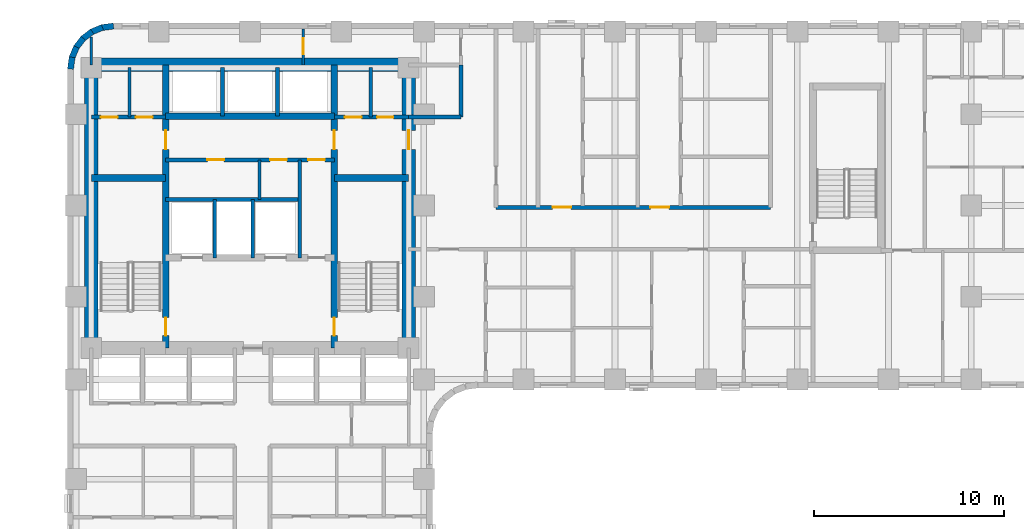
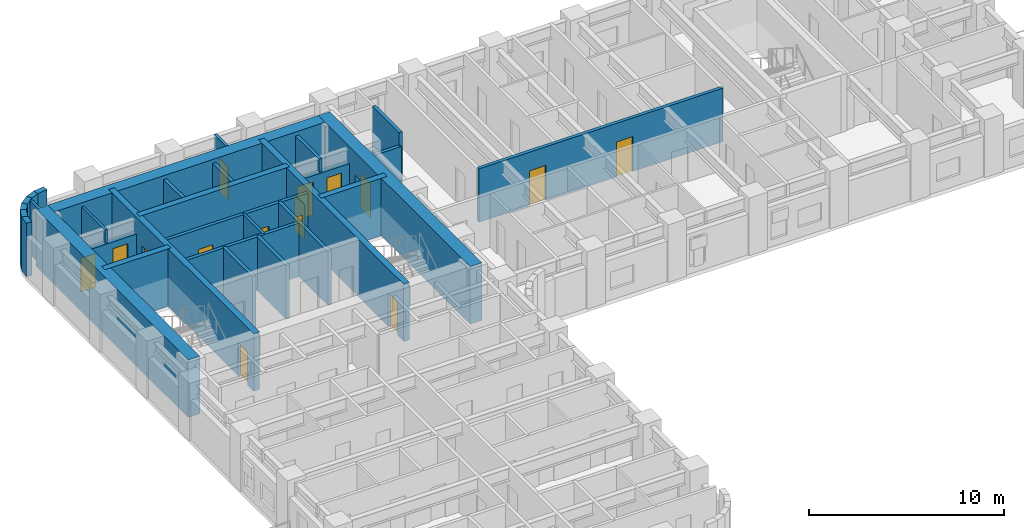
# One storey, part 6 of 10: 31 walls, 15 doors, 15 openings.
"""IFC4 building model written with IfcOpenShell, lengths in metres."""

from ifc_helpers import new_model, si_unit, direction, frame, frame_2d, origin, place, context, subcontext, project, spatial, rectangle, extrude, material, layer, layer_set, type_object, element, fill, save


model = new_model("IFC4")

# Units and contexts
model_context = context("Model", 3, precision=1e-05, world=origin(), true_north=direction((0.0, 1.0)))
body_context = subcontext(model_context, "Body", "Model", "MODEL_VIEW")
ifc_project = project(units=[si_unit("LENGTHUNIT", "METRE"), si_unit("AREAUNIT", "SQUARE_METRE"), si_unit("VOLUMEUNIT", "CUBIC_METRE"), si_unit("PLANEANGLEUNIT", "RADIAN"), si_unit("MASSUNIT", "GRAM", prefix="KILO")], contexts=[model_context])

# Site, building, storey
site_placement = place(None, origin())
site = spatial("IfcSite", under=ifc_project, at=site_placement, CompositionType="ELEMENT")
building_placement = place(site_placement, origin())
building = spatial("IfcBuilding", under=site, at=building_placement, Name="Orvandelia Arch Residences", CompositionType="ELEMENT")
storey_placement = place(building_placement, frame((0.0, 0.0, 32.199951171875)))
storey = spatial("IfcBuildingStorey", under=building, at=storey_placement, Name="L07", CompositionType="ELEMENT", Elevation=32.199951171875)

# Wall, openings, doors
ifc_material_1 = material(Name="Concrete C50/60", Category="concrete")
ifc_layer_1 = layer(ifc_material_1, 0.35009765625, Name="Concrete C50/60", Category="concrete")
ifc_layer_set_1 = layer_set([ifc_layer_1], Name="Concrete C50/60")
wall_type_1 = type_object("IfcWallType", Name="WL-CORE-350", PredefinedType="SHEAR", material=ifc_layer_set_1)
wall_1_placement = place(storey_placement, frame((9.9599609375, 30.89990234375, 0.0), z_axis=(0.0, 0.0, 1.0), x_axis=(0.0, 1.0, 0.0)))
wall_1 = element("IfcWall", 1, at=wall_1_placement, inside=storey, type_object=wall_type_1, Name="Core Shear Wall L07-WEB1", PredefinedType="SHEAR", context=body_context, shape_type="SweptSolid", body=[
    extrude(rectangle(XDim=14.900146484375, YDim=0.35009765625, at=frame_2d((7.4501953125, 0.0))), origin(), (0.0, 0.0, 1.0), 3.60009765625),
])
opening_1_placement = place(wall_1_placement, frame((0.64990234375, 0.0, 0.0)))
opening_1 = element("IfcOpeningElement", 2, at=opening_1_placement, cuts=wall_1, Name="Opening D7", PredefinedType="OPENING", context=body_context, shape_type="SweptSolid", body=[
    extrude(rectangle(XDim=0.949951171875, YDim=2.10009765625, at=frame_2d((0.47509765625, 1.050048828125))), frame((0.0, 0.18505859375, 0.0), z_axis=(0.0, -1.0, 0.0), x_axis=(1.0, 0.0, 0.0)), (0.0, 0.0, 1.0), 0.3701171875),
])
opening_2_placement = place(wall_1_placement, frame((10.449951171875, 0.0, 0.0)))
opening_2 = element("IfcOpeningElement", 3, at=opening_2_placement, cuts=wall_1, Name="Opening D6", PredefinedType="OPENING", context=body_context, shape_type="SweptSolid", body=[
    extrude(rectangle(XDim=1.0, YDim=2.14990234375, at=frame_2d((0.5, 1.074951171875))), frame((0.0, 0.18505859375, 0.0), z_axis=(0.0, -1.0, 0.0), x_axis=(1.0, 0.0, 0.0)), (0.0, 0.0, 1.0), 0.3701171875),
])
ifc_material_2 = material(Name="Smokeproof Painted Steel Fire Door", Category="steel")
door_type_1 = type_object("IfcDoorType", Name="DR-FD60-1000", OperationType="NOTDEFINED", PredefinedType="DOOR", material=ifc_material_2)
door_1_placement = place(opening_2_placement, origin())
door_1 = element("IfcDoor", 4, at=door_1_placement, inside=storey, type_object=door_type_1, Name="High-Rise Lift Hall West Vestibule Door L07", OperationType="SINGLE_SWING_LEFT", OverallHeight=2.14990234375, OverallWidth=1.0, PredefinedType="DOOR", context=body_context, shape_type="SweptSolid", body=[
    extrude(rectangle(XDim=1.0, YDim=2.14990234375, at=frame_2d((0.5, 1.074951171875))), frame((0.0, 0.02490234375, 0.0), z_axis=(0.0, -1.0, 0.0), x_axis=(1.0, 0.0, 0.0)), (0.0, 0.0, 1.0), 0.050048828125),
])
fill(opening_2, door_1)
ifc_material_3 = material(Name="Pressurised Stairwell Fire Door")
door_type_2 = type_object("IfcDoorType", Name="DR-STAIR-950", OperationType="NOTDEFINED", PredefinedType="DOOR", material=ifc_material_3)
door_2_placement = place(opening_1_placement, origin())
door_2 = element("IfcDoor", 5, at=door_2_placement, inside=storey, type_object=door_type_2, Name="Stairwell ST-1 Fire Door L07", OperationType="SINGLE_SWING_LEFT", OverallHeight=2.10009765625, OverallWidth=0.949951171875, PredefinedType="DOOR", context=body_context, shape_type="SweptSolid", body=[
    extrude(rectangle(XDim=0.949951171875, YDim=2.10009765625, at=frame_2d((0.47509765625, 1.050048828125))), frame((0.0, 0.02490234375, 0.0), z_axis=(0.0, -1.0, 0.0), x_axis=(1.0, 0.0, 0.0)), (0.0, 0.0, 1.0), 0.050048828125),
])
fill(opening_1, door_2)

wall_2_placement = place(storey_placement, frame((18.840087890625, 30.89990234375, 0.0), z_axis=(0.0, 0.0, 1.0), x_axis=(0.0, 1.0, 0.0)))
wall_2 = element("IfcWall", 6, at=wall_2_placement, inside=storey, type_object=wall_type_1, Name="Core Shear Wall L07-WEB2", PredefinedType="SHEAR", context=body_context, shape_type="SweptSolid", body=[
    extrude(rectangle(XDim=14.900146484375, YDim=0.35009765625, at=frame_2d((7.4501953125, 0.0))), origin(), (0.0, 0.0, 1.0), 3.60009765625),
])
opening_3_placement = place(wall_2_placement, frame((0.64990234375, 0.0, 0.0)))
opening_3 = element("IfcOpeningElement", 7, at=opening_3_placement, cuts=wall_2, Name="Opening D7", PredefinedType="OPENING", context=body_context, shape_type="SweptSolid", body=[
    extrude(rectangle(XDim=0.949951171875, YDim=2.10009765625, at=frame_2d((0.47509765625, 1.050048828125))), frame((0.0, 0.18505859375, 0.0), z_axis=(0.0, -1.0, 0.0), x_axis=(1.0, 0.0, 0.0)), (0.0, 0.0, 1.0), 0.3701171875),
])
opening_4_placement = place(wall_2_placement, frame((10.449951171875, 0.0, 0.0)))
opening_4 = element("IfcOpeningElement", 8, at=opening_4_placement, cuts=wall_2, Name="Opening D6", PredefinedType="OPENING", context=body_context, shape_type="SweptSolid", body=[
    extrude(rectangle(XDim=1.0, YDim=2.14990234375, at=frame_2d((0.5, 1.074951171875))), frame((0.0, 0.18505859375, 0.0), z_axis=(0.0, -1.0, 0.0), x_axis=(1.0, 0.0, 0.0)), (0.0, 0.0, 1.0), 0.3701171875),
])
door_3_placement = place(opening_4_placement, origin())
door_3 = element("IfcDoor", 9, at=door_3_placement, inside=storey, type_object=door_type_1, Name="High-Rise Lift Hall East Vestibule Door L07", OperationType="SINGLE_SWING_RIGHT", OverallHeight=2.14990234375, OverallWidth=1.0, PredefinedType="DOOR", context=body_context, shape_type="SweptSolid", body=[
    extrude(rectangle(XDim=1.0, YDim=2.14990234375, at=frame_2d((0.5, 1.074951171875))), frame((0.0, 0.02490234375, 0.0), z_axis=(0.0, -1.0, 0.0), x_axis=(1.0, 0.0, 0.0)), (0.0, 0.0, 1.0), 0.050048828125),
])
fill(opening_4, door_3)
door_4_placement = place(opening_3_placement, origin())
door_4 = element("IfcDoor", 10, at=door_4_placement, inside=storey, type_object=door_type_2, Name="Stairwell ST-2 Fire Door L07", OperationType="SINGLE_SWING_RIGHT", OverallHeight=2.10009765625, OverallWidth=0.949951171875, PredefinedType="DOOR", context=body_context, shape_type="SweptSolid", body=[
    extrude(rectangle(XDim=0.949951171875, YDim=2.10009765625, at=frame_2d((0.47509765625, 1.050048828125))), frame((0.0, 0.02490234375, 0.0), z_axis=(0.0, -1.0, 0.0), x_axis=(1.0, 0.0, 0.0)), (0.0, 0.0, 1.0), 0.050048828125),
])
fill(opening_3, door_4)

# Walls
for number, where, z_axis, x_axis, name in (
    (11, (6.050048828125, 39.85009765625, 0.0), (0.0, 0.0, 1.0), (1.0, 0.0, 0.0), "Core Shear Wall L07-HZ1"),
    (12, (18.840087890625, 39.85009765625, 0.0), (0.0, 0.0, 1.0), (1.0, 0.0, 0.0), "Core Shear Wall L07-HZ2"),
):
    element("IfcWall", number, at=place(storey_placement, frame(where, z_axis=z_axis, x_axis=x_axis)), inside=storey, type_object=wall_type_1, Name=name, PredefinedType="SHEAR", context=body_context, shape_type="SweptSolid", body=[
        extrude(rectangle(XDim=3.909912109375, YDim=0.35009765625, at=frame_2d((1.955078125, 0.0))), origin(), (0.0, 0.0, 1.0), 3.60009765625),
    ])
wall_3_placement = place(storey_placement, frame((9.9599609375, 43.10009765625, 0.0), z_axis=(0.0, 0.0, 1.0), x_axis=(1.0, 0.0, 0.0)))
element("IfcWall", 13, at=wall_3_placement, inside=storey, type_object=wall_type_1, Name="Core Shear Wall L07-HZ4", PredefinedType="SHEAR", context=body_context, shape_type="SweptSolid", body=[
    extrude(rectangle(XDim=8.880126953125, YDim=0.35009765625, at=frame_2d((4.43994140625, 0.0))), origin(), (0.0, 0.0, 1.0), 3.60009765625),
])
ifc_material_4 = material(Name="Concrete C80/95", Category="concrete")
ifc_layer_2 = layer(ifc_material_4, 0.699951171875, Name="Concrete C80/95", Category="concrete")
ifc_layer_set_2 = layer_set([ifc_layer_2], Name="Concrete C80/95")
wall_type_2 = type_object("IfcWallType", Name="WL-CORE-700", PredefinedType="SHEAR", material=ifc_layer_set_2)
wall_4_placement = place(storey_placement, frame((6.050048828125, 30.550048828125, 0.0), z_axis=(0.0, 0.0, 1.0), x_axis=(0.0, 1.0, 0.0)))
element("IfcWall", 14, at=wall_4_placement, inside=storey, type_object=wall_type_2, Name="Core Shear Wall L07-W", PredefinedType="SHEAR", context=body_context, shape_type="SweptSolid", body=[
    extrude(rectangle(XDim=15.599853515625, YDim=0.699951171875, at=frame_2d((7.7998046875, 0.0))), origin(), (0.0, 0.0, 1.0), 3.60009765625),
])

# Wall, opening, door
wall_5_placement = place(storey_placement, frame((22.75, 30.550048828125, 0.0), z_axis=(0.0, 0.0, 1.0), x_axis=(0.0, 1.0, 0.0)))
wall_5 = element("IfcWall", 15, at=wall_5_placement, inside=storey, type_object=wall_type_2, Name="Core Shear Wall L07-E", PredefinedType="SHEAR", context=body_context, shape_type="SweptSolid", body=[
    extrude(rectangle(XDim=15.599853515625, YDim=0.699951171875, at=frame_2d((7.7998046875, 0.0))), origin(), (0.0, 0.0, 1.0), 3.60009765625),
])
opening_5_placement = place(wall_5_placement, frame((10.800048828125, 0.0, 0.0)))
opening_5 = element("IfcOpeningElement", 16, at=opening_5_placement, cuts=wall_5, Name="Opening D6", PredefinedType="OPENING", context=body_context, shape_type="SweptSolid", body=[
    extrude(rectangle(XDim=1.0, YDim=2.14990234375, at=frame_2d((0.5, 1.074951171875))), frame((0.0, 0.35986328125, 0.0), z_axis=(0.0, -1.0, 0.0), x_axis=(1.0, 0.0, 0.0)), (0.0, 0.0, 1.0), 0.719970703125),
])
door_5_placement = place(opening_5_placement, origin())
door_5 = element("IfcDoor", 17, at=door_5_placement, inside=storey, type_object=door_type_1, Name="Core East Corridor Link Door L07", OperationType="SINGLE_SWING_LEFT", OverallHeight=2.14990234375, OverallWidth=1.0, PredefinedType="DOOR", context=body_context, shape_type="SweptSolid", body=[
    extrude(rectangle(XDim=1.0, YDim=2.14990234375, at=frame_2d((0.5, 1.074951171875))), frame((0.0, 0.02490234375, 0.0), z_axis=(0.0, -1.0, 0.0), x_axis=(1.0, 0.0, 0.0)), (0.0, 0.0, 1.0), 0.050048828125),
])
fill(opening_5, door_5)

# Wall
wall_6_placement = place(storey_placement, frame((6.050048828125, 45.800048828125, 0.0), z_axis=(0.0, 0.0, 1.0), x_axis=(1.0, 0.0, 0.0)))
element("IfcWall", 18, at=wall_6_placement, inside=storey, type_object=wall_type_2, Name="Core Shear Wall L07-N", PredefinedType="SHEAR", context=body_context, shape_type="SweptSolid", body=[
    extrude(rectangle(XDim=16.699951171875, YDim=0.699951171875, at=frame_2d((8.35009765625, 0.0))), origin(), (0.0, 0.0, 1.0), 3.60009765625),
])

# Wall, openings, doors
ifc_material_5 = material(Name="Fire-Rated Corridor Partition")
ifc_layer_3 = layer(ifc_material_5, 0.199951171875, Name="Fire-Rated Corridor Partition")
ifc_layer_set_3 = layer_set([ifc_layer_3], Name="Fire-Rated Corridor Partition")
wall_type_3 = type_object("IfcWallType", Name="WL-CORR-200", PredefinedType="PARTITIONING", material=ifc_layer_set_3)
wall_7_placement = place(storey_placement, frame((27.35009765625, 38.300048828125, 0.0), z_axis=(0.0, 0.0, 1.0), x_axis=(1.0, 0.0, 0.0)))
wall_7 = element("IfcWall", 19, at=wall_7_placement, inside=storey, type_object=wall_type_3, Name="Interior Partition Wall WL-L07-EM-N", PredefinedType="PARTITIONING", context=body_context, shape_type="SweptSolid", body=[
    extrude(rectangle(XDim=14.429931640625, YDim=0.199951171875, at=frame_2d((7.21484375, 0.0))), origin(), (0.0, 0.0, 1.0), 3.35009765625),
])
opening_6_placement = place(wall_7_placement, frame((2.969970703125, 0.0, 0.0)))
opening_6 = element("IfcOpeningElement", 20, at=opening_6_placement, cuts=wall_7, Name="Opening D1", PredefinedType="OPENING", context=body_context, shape_type="SweptSolid", body=[
    extrude(rectangle(XDim=0.97998046875, YDim=2.179931640625, at=frame_2d((0.489990234375, 1.08984375))), frame((0.0, 0.10986328125, 0.0), z_axis=(0.0, -1.0, 0.0), x_axis=(1.0, 0.0, 0.0)), (0.0, 0.0, 1.0), 0.219970703125),
])
opening_7_placement = place(wall_7_placement, frame((8.1201171875, 0.0, 0.0)))
opening_7 = element("IfcOpeningElement", 21, at=opening_7_placement, cuts=wall_7, Name="Opening D1", PredefinedType="OPENING", context=body_context, shape_type="SweptSolid", body=[
    extrude(rectangle(XDim=0.97998046875, YDim=2.179931640625, at=frame_2d((0.489990234375, 1.08984375))), frame((0.0, 0.10986328125, 0.0), z_axis=(0.0, -1.0, 0.0), x_axis=(1.0, 0.0, 0.0)), (0.0, 0.0, 1.0), 0.219970703125),
])
ifc_material_6 = material(Name="Solid-Core Timber Acoustic Fire Door", Category="wood")
door_type_3 = type_object("IfcDoorType", Name="DR-ENT-980", OperationType="NOTDEFINED", PredefinedType="DOOR", material=ifc_material_6)
door_6_placement = place(opening_6_placement, origin())
door_6 = element("IfcDoor", 22, at=door_6_placement, inside=storey, type_object=door_type_3, Name="Unit L07-09 Entrance Door", OperationType="SINGLE_SWING_LEFT", OverallHeight=2.179931640625, OverallWidth=0.97998046875, PredefinedType="DOOR", context=body_context, shape_type="SweptSolid", body=[
    extrude(rectangle(XDim=0.97998046875, YDim=2.179931640625, at=frame_2d((0.489990234375, 1.08984375))), frame((0.0, 0.02490234375, 0.0), z_axis=(0.0, -1.0, 0.0), x_axis=(1.0, 0.0, 0.0)), (0.0, 0.0, 1.0), 0.050048828125),
])
fill(opening_6, door_6)
door_7_placement = place(opening_7_placement, origin())
door_7 = element("IfcDoor", 23, at=door_7_placement, inside=storey, type_object=door_type_3, Name="Unit L07-10 Entrance Door", OperationType="SINGLE_SWING_RIGHT", OverallHeight=2.179931640625, OverallWidth=0.97998046875, PredefinedType="DOOR", context=body_context, shape_type="SweptSolid", body=[
    extrude(rectangle(XDim=0.97998046875, YDim=2.179931640625, at=frame_2d((0.489990234375, 1.08984375))), frame((0.0, 0.02490234375, 0.0), z_axis=(0.0, -1.0, 0.0), x_axis=(1.0, 0.0, 0.0)), (0.0, 0.0, 1.0), 0.050048828125),
])
fill(opening_7, door_7)

# Walls
wall_8_placement = place(storey_placement, frame((22.75, 43.050048828125, 0.0), z_axis=(0.0, 0.0, 1.0), x_axis=(1.0, 0.0, 0.0)))
element("IfcWall", 24, at=wall_8_placement, inside=storey, type_object=wall_type_3, Name="Interior Partition Wall WL-L07-EM-LS", PredefinedType="PARTITIONING", context=body_context, shape_type="SweptSolid", body=[
    extrude(rectangle(XDim=2.75, YDim=0.199951171875, at=frame_2d((1.375, 0.0))), origin(), (0.0, 0.0, 1.0), 2.530029296875),
])
wall_9_placement = place(storey_placement, frame((25.5, 43.050048828125, 0.0), z_axis=(0.0, 0.0, 1.0), x_axis=(0.0, 1.0, 0.0)))
element("IfcWall", 25, at=wall_9_placement, inside=storey, type_object=wall_type_3, Name="Interior Partition Wall WL-L07-EM-LW2", PredefinedType="PARTITIONING", context=body_context, shape_type="SweptSolid", body=[
    extrude(rectangle(XDim=2.75, YDim=0.199951171875, at=frame_2d((1.375, 0.0))), origin(), (0.0, 0.0, 1.0), 3.35009765625),
])
ifc_material_7 = material(Name="Precast concrete C40/50", Category="concrete")
ifc_layer_4 = layer(ifc_material_7, 0.320068359375, Name="Precast concrete C40/50", Category="concrete")
ifc_layer_set_4 = layer_set([ifc_layer_4], Name="Precast concrete C40/50")
wall_type_4 = type_object("IfcWallType", Name="WL-EXT-STONE-320", PredefinedType="STANDARD", material=ifc_layer_set_4)
for number, where, z_axis, x_axis, name in (
    (26, (4.95849609375, 45.5791015625, 0.0), (0.0, 0.0, 1.0), (0.130555323746, 0.9914410257, 0.0), "Coral-Limestone Precast Facade Wall L07-001"),
    (27, (5.029541015625, 46.159912109375, 0.0), (0.0, 0.0, 1.0), (0.382650053678, 0.92389335771, 0.0), "Coral-Limestone Precast Facade Wall L07-002"),
):
    element("IfcWall", number, at=place(storey_placement, frame(where, z_axis=z_axis, x_axis=x_axis)), inside=storey, type_object=wall_type_4, Name=name, PredefinedType="STANDARD", context=body_context, shape_type="SweptSolid", body=[
        extrude(rectangle(XDim=0.62646484375, YDim=0.320068359375, at=frame_2d((0.313232421875, 0.0))), origin(), (0.0, 0.0, 1.0), 3.35009765625),
    ])
wall_10_placement = place(storey_placement, frame((5.248291015625, 46.70263671875, 0.0), z_axis=(0.0, 0.0, 1.0), x_axis=(0.608938521285, 0.7932174212, 0.0)))
element("IfcWall", 28, at=wall_10_placement, inside=storey, type_object=wall_type_4, Name="Coral-Limestone Precast Facade Wall L07-003", PredefinedType="STANDARD", context=body_context, shape_type="SweptSolid", body=[
    extrude(rectangle(XDim=0.626708984375, YDim=0.320068359375, at=frame_2d((0.3134765625, 0.0))), origin(), (0.0, 0.0, 1.0), 3.35009765625),
])
wall_11_placement = place(storey_placement, frame((5.600341796875, 47.170166015625, 0.0), z_axis=(0.0, 0.0, 1.0), x_axis=(0.793405610854, 0.608693302629, 0.0)))
element("IfcWall", 29, at=wall_11_placement, inside=storey, type_object=wall_type_4, Name="Coral-Limestone Precast Facade Wall L07-004", PredefinedType="STANDARD", context=body_context, shape_type="SweptSolid", body=[
    extrude(rectangle(XDim=0.62646484375, YDim=0.320068359375, at=frame_2d((0.313232421875, 0.0))), origin(), (0.0, 0.0, 1.0), 3.35009765625),
])
wall_12_placement = place(storey_placement, frame((6.061279296875, 47.53076171875, 0.0), z_axis=(0.0, 0.0, 1.0), x_axis=(0.923836271867, 0.382787856107, 0.0)))
element("IfcWall", 30, at=wall_12_placement, inside=storey, type_object=wall_type_4, Name="Coral-Limestone Precast Facade Wall L07-005", PredefinedType="STANDARD", context=body_context, shape_type="SweptSolid", body=[
    extrude(rectangle(XDim=0.626220703125, YDim=0.320068359375, at=frame_2d((0.31298828125, 0.0))), origin(), (0.0, 0.0, 1.0), 3.35009765625),
])
wall_13_placement = place(storey_placement, frame((6.599609375, 47.759521484375, 0.0), z_axis=(0.0, 0.0, 1.0), x_axis=(0.991447664465, 0.130504898859, 0.0)))
element("IfcWall", 31, at=wall_13_placement, inside=storey, type_object=wall_type_4, Name="Coral-Limestone Precast Facade Wall L07-006", PredefinedType="STANDARD", context=body_context, shape_type="SweptSolid", body=[
    extrude(rectangle(XDim=0.626708984375, YDim=0.320068359375, at=frame_2d((0.3134765625, 0.0))), origin(), (0.0, 0.0, 1.0), 3.35009765625),
])
ifc_material_8 = material(Name="Acoustic Gypsum Stud Partition")
ifc_layer_5 = layer(ifc_material_8, 0.14990234375, Name="Acoustic Gypsum Stud Partition")
ifc_layer_set_5 = layer_set([ifc_layer_5], Name="Acoustic Gypsum Stud Partition")
wall_type_5 = type_object("IfcWallType", Name="WL-PART-150", PredefinedType="PARTITIONING", material=ifc_layer_set_5)
wall_14_placement = place(storey_placement, frame((8.06005859375, 43.050048828125, 0.0), z_axis=(0.0, 0.0, 1.0), x_axis=(0.0, 1.0, 0.0)))
element("IfcWall", 32, at=wall_14_placement, inside=storey, type_object=wall_type_5, Name="Interior Partition Wall WL-L07-CRELC-M", PredefinedType="PARTITIONING", context=body_context, shape_type="SweptSolid", body=[
    extrude(rectangle(XDim=2.599853515625, YDim=0.14990234375, at=frame_2d((1.2998046875, 0.0))), origin(), (0.0, 0.0, 1.0), 3.35009765625),
])
wall_15_placement = place(storey_placement, frame((14.89990234375, 38.719970703125, 0.0), z_axis=(0.0, 0.0, 1.0), x_axis=(0.0, 1.0, 0.0)))
element("IfcWall", 33, at=wall_15_placement, inside=storey, type_object=wall_type_5, Name="Interior Partition Wall WL-L07-CSA-1", PredefinedType="PARTITIONING", context=body_context, shape_type="SweptSolid", body=[
    extrude(rectangle(XDim=2.080078125, YDim=0.14990234375, at=frame_2d((1.0400390625, 0.0))), origin(), (0.0, 0.0, 1.0), 3.35009765625),
])
wall_16_placement = place(storey_placement, frame((6.050048828125, 45.800048828125, 0.0), z_axis=(0.0, 0.0, 1.0), x_axis=(0.0, 1.0, 0.0)))
element("IfcWall", 34, at=wall_16_placement, inside=storey, type_object=wall_type_5, Name="Interior Partition Wall WL-L07-NC-W6", PredefinedType="PARTITIONING", context=body_context, shape_type="SweptSolid", body=[
    extrude(rectangle(XDim=1.4599609375, YDim=0.14990234375, at=frame_2d((0.72998046875, 0.0))), origin(), (0.0, 0.0, 1.0), 3.35009765625),
])

# Wall, opening, door
wall_17_placement = place(storey_placement, frame((17.199951171875, 45.800048828125, 0.0), z_axis=(0.0, 0.0, 1.0), x_axis=(0.0, 1.0, 0.0)))
wall_17 = element("IfcWall", 35, at=wall_17_placement, inside=storey, type_object=wall_type_5, Name="Interior Partition Wall WL-L07-NC-M", PredefinedType="PARTITIONING", context=body_context, shape_type="SweptSolid", body=[
    extrude(rectangle(XDim=1.8798828125, YDim=0.14990234375, at=frame_2d((0.93994140625, 0.0))), origin(), (0.0, 0.0, 1.0), 3.35009765625),
])
opening_8_placement = place(wall_17_placement, frame((0.550048828125, 0.0, 0.0)))
opening_8 = element("IfcOpeningElement", 36, at=opening_8_placement, cuts=wall_17, Name="Opening D4", PredefinedType="OPENING", context=body_context, shape_type="SweptSolid", body=[
    extrude(rectangle(XDim=0.860107421875, YDim=2.10009765625, at=frame_2d((0.43017578125, 1.050048828125))), frame((0.0, 0.0849609375, 0.0), z_axis=(0.0, -1.0, 0.0), x_axis=(1.0, 0.0, 0.0)), (0.0, 0.0, 1.0), 0.169921875),
])
ifc_material_9 = material(Name="Moisture-Sealed Timber Bathroom Door", Category="wood")
door_type_4 = type_object("IfcDoorType", Name="DR-WET-900", OperationType="NOTDEFINED", PredefinedType="DOOR", material=ifc_material_9)
door_8_placement = place(opening_8_placement, origin())
door_8 = element("IfcDoor", 37, at=door_8_placement, inside=storey, type_object=door_type_4, Name="DR-L07-NCS1", OperationType="SINGLE_SWING_LEFT", OverallHeight=2.10009765625, OverallWidth=0.860107421875, PredefinedType="DOOR", context=body_context, shape_type="SweptSolid", body=[
    extrude(rectangle(XDim=0.860107421875, YDim=2.10009765625, at=frame_2d((0.43017578125, 1.050048828125))), frame((0.0, 0.02490234375, 0.0), z_axis=(0.0, -1.0, 0.0), x_axis=(1.0, 0.0, 0.0)), (0.0, 0.0, 1.0), 0.050048828125),
])
fill(opening_8, door_8)

# Walls
ifc_material_10 = material(Name="Fire-Rated Shaft Enclosure Wall")
ifc_layer_6 = layer(ifc_material_10, 0.199951171875, Name="Fire-Rated Shaft Enclosure Wall")
ifc_layer_set_6 = layer_set([ifc_layer_6], Name="Fire-Rated Shaft Enclosure Wall")
wall_type_6 = type_object("IfcWallType", Name="WL-SHAFT-200", PredefinedType="POLYGONAL", material=ifc_layer_set_6)
wall_18_placement = place(storey_placement, frame((9.9599609375, 38.719970703125, 0.0), z_axis=(0.0, 0.0, 1.0), x_axis=(1.0, 0.0, 0.0)))
element("IfcWall", 38, at=wall_18_placement, inside=storey, type_object=wall_type_6, Name="Interior Partition Wall WL-L07-FLN", PredefinedType="POLYGONAL", context=body_context, shape_type="SweptSolid", body=[
    extrude(rectangle(XDim=7.06005859375, YDim=0.199951171875, at=frame_2d((3.530029296875, 0.0))), origin(), (0.0, 0.0, 1.0), 3.35009765625),
])
for number, where, z_axis, x_axis, name in (
    (39, (12.550048828125, 35.64990234375, 0.0), (0.0, 0.0, 1.0), (0.0, 1.0, 0.0), "Interior Partition Wall WL-L07-FLM1"),
    (40, (14.550048828125, 35.64990234375, 0.0), (0.0, 0.0, 1.0), (0.0, 1.0, 0.0), "Interior Partition Wall WL-L07-FLM2"),
):
    element("IfcWall", number, at=place(storey_placement, frame(where, z_axis=z_axis, x_axis=x_axis)), inside=storey, type_object=wall_type_6, Name=name, PredefinedType="POLYGONAL", context=body_context, shape_type="SweptSolid", body=[
        extrude(rectangle(XDim=3.070068359375, YDim=0.199951171875, at=frame_2d((1.53515625, 0.0))), origin(), (0.0, 0.0, 1.0), 3.35009765625),
    ])
wall_19_placement = place(storey_placement, frame((17.02001953125, 35.64990234375, 0.0), z_axis=(0.0, 0.0, 1.0), x_axis=(0.0, 1.0, 0.0)))
element("IfcWall", 41, at=wall_19_placement, inside=storey, type_object=wall_type_6, Name="Interior Partition Wall WL-L07-FLM3", PredefinedType="POLYGONAL", context=body_context, shape_type="SweptSolid", body=[
    extrude(rectangle(XDim=5.150146484375, YDim=0.199951171875, at=frame_2d((2.5751953125, 0.0))), origin(), (0.0, 0.0, 1.0), 3.35009765625),
])

# Wall, openings, doors
wall_20_placement = place(storey_placement, frame((9.9599609375, 40.800048828125, 0.0), z_axis=(0.0, 0.0, 1.0), x_axis=(1.0, 0.0, 0.0)))
wall_20 = element("IfcWall", 42, at=wall_20_placement, inside=storey, type_object=wall_type_6, Name="Interior Partition Wall WL-L07-HLH-S", PredefinedType="POLYGONAL", context=body_context, shape_type="SweptSolid", body=[
    extrude(rectangle(XDim=8.880126953125, YDim=0.199951171875, at=frame_2d((4.43994140625, 0.0))), origin(), (0.0, 0.0, 1.0), 3.35009765625),
])
opening_9_placement = place(wall_20_placement, frame((7.5, 0.0, 0.0)))
opening_9 = element("IfcOpeningElement", 43, at=opening_9_placement, cuts=wall_20, Name="Opening D5", PredefinedType="OPENING", context=body_context, shape_type="SweptSolid", body=[
    extrude(rectangle(XDim=0.8798828125, YDim=2.10009765625, at=frame_2d((0.43994140625, 1.050048828125))), frame((0.0, 0.10986328125, 0.0), z_axis=(0.0, -1.0, 0.0), x_axis=(1.0, 0.0, 0.0)), (0.0, 0.0, 1.0), 0.219970703125),
])
opening_10_placement = place(wall_20_placement, frame((2.199951171875, 0.0, 0.0)))
opening_10 = element("IfcOpeningElement", 44, at=opening_10_placement, cuts=wall_20, Name="Opening D5", PredefinedType="OPENING", context=body_context, shape_type="SweptSolid", body=[
    extrude(rectangle(XDim=0.8798828125, YDim=2.10009765625, at=frame_2d((0.43994140625, 1.050048828125))), frame((0.0, 0.10986328125, 0.0), z_axis=(0.0, -1.0, 0.0), x_axis=(1.0, 0.0, 0.0)), (0.0, 0.0, 1.0), 0.219970703125),
])
opening_11_placement = place(wall_20_placement, frame((5.5, 0.0, 0.0)))
opening_11 = element("IfcOpeningElement", 45, at=opening_11_placement, cuts=wall_20, Name="Opening D5", PredefinedType="OPENING", context=body_context, shape_type="SweptSolid", body=[
    extrude(rectangle(XDim=0.8798828125, YDim=2.10009765625, at=frame_2d((0.43994140625, 1.050048828125))), frame((0.0, 0.10986328125, 0.0), z_axis=(0.0, -1.0, 0.0), x_axis=(1.0, 0.0, 0.0)), (0.0, 0.0, 1.0), 0.219970703125),
])
ifc_material_11 = material(Name="Painted Galvanised Steel Service Door", Category="steel")
door_type_5 = type_object("IfcDoorType", Name="DR-SRV-880", OperationType="NOTDEFINED", PredefinedType="DOOR", material=ifc_material_11)
door_9_placement = place(opening_9_placement, origin())
door_9 = element("IfcDoor", 46, at=door_9_placement, inside=storey, type_object=door_type_5, Name="Core Stairway Passage North Fire Door L07", OperationType="SINGLE_SWING_RIGHT", OverallHeight=2.10009765625, OverallWidth=0.8798828125, PredefinedType="DOOR", context=body_context, shape_type="SweptSolid", body=[
    extrude(rectangle(XDim=0.8798828125, YDim=2.10009765625, at=frame_2d((0.43994140625, 1.050048828125))), frame((0.0, 0.02490234375, 0.0), z_axis=(0.0, -1.0, 0.0), x_axis=(1.0, 0.0, 0.0)), (0.0, 0.0, 1.0), 0.050048828125),
])
fill(opening_9, door_9)
door_10_placement = place(opening_10_placement, origin())
door_10 = element("IfcDoor", 47, at=door_10_placement, inside=storey, type_object=door_type_5, Name="DR-L07-CSA1", OperationType="SINGLE_SWING_RIGHT", OverallHeight=2.10009765625, OverallWidth=0.8798828125, PredefinedType="DOOR", context=body_context, shape_type="SweptSolid", body=[
    extrude(rectangle(XDim=0.8798828125, YDim=2.10009765625, at=frame_2d((0.43994140625, 1.050048828125))), frame((0.0, 0.02490234375, 0.0), z_axis=(0.0, -1.0, 0.0), x_axis=(1.0, 0.0, 0.0)), (0.0, 0.0, 1.0), 0.050048828125),
])
fill(opening_10, door_10)
door_11_placement = place(opening_11_placement, origin())
door_11 = element("IfcDoor", 48, at=door_11_placement, inside=storey, type_object=door_type_5, Name="DR-L07-CSA2", OperationType="SINGLE_SWING_LEFT", OverallHeight=2.10009765625, OverallWidth=0.8798828125, PredefinedType="DOOR", context=body_context, shape_type="SweptSolid", body=[
    extrude(rectangle(XDim=0.8798828125, YDim=2.10009765625, at=frame_2d((0.43994140625, 1.050048828125))), frame((0.0, 0.02490234375, 0.0), z_axis=(0.0, -1.0, 0.0), x_axis=(1.0, 0.0, 0.0)), (0.0, 0.0, 1.0), 0.050048828125),
])
fill(opening_11, door_11)

wall_21_placement = place(storey_placement, frame((18.840087890625, 43.050048828125, 0.0), z_axis=(0.0, 0.0, 1.0), x_axis=(1.0, 0.0, 0.0)))
wall_21 = element("IfcWall", 49, at=wall_21_placement, inside=storey, type_object=wall_type_6, Name="Interior Partition Wall WL-L07-HLE-N", PredefinedType="POLYGONAL", context=body_context, shape_type="SweptSolid", body=[
    extrude(rectangle(XDim=3.909912109375, YDim=0.199951171875, at=frame_2d((1.955078125, 0.0))), origin(), (0.0, 0.0, 1.0), 2.530029296875),
])
opening_12_placement = place(wall_21_placement, frame((0.550048828125, 0.0, 0.0)))
opening_12 = element("IfcOpeningElement", 50, at=opening_12_placement, cuts=wall_21, Name="Opening D5", PredefinedType="OPENING", context=body_context, shape_type="SweptSolid", body=[
    extrude(rectangle(XDim=0.8798828125, YDim=2.10009765625, at=frame_2d((0.43994140625, 1.050048828125))), frame((0.0, 0.10986328125, 0.0), z_axis=(0.0, -1.0, 0.0), x_axis=(1.0, 0.0, 0.0)), (0.0, 0.0, 1.0), 0.219970703125),
])
opening_13_placement = place(wall_21_placement, frame((2.25, 0.0, 0.0)))
opening_13 = element("IfcOpeningElement", 51, at=opening_13_placement, cuts=wall_21, Name="Opening D4", PredefinedType="OPENING", context=body_context, shape_type="SweptSolid", body=[
    extrude(rectangle(XDim=0.860107421875, YDim=2.10009765625, at=frame_2d((0.43017578125, 1.050048828125))), frame((0.0, 0.10986328125, 0.0), z_axis=(0.0, -1.0, 0.0), x_axis=(1.0, 0.0, 0.0)), (0.0, 0.0, 1.0), 0.219970703125),
])
door_12_placement = place(opening_12_placement, origin())
door_12 = element("IfcDoor", 52, at=door_12_placement, inside=storey, type_object=door_type_5, Name="DR-L07-CSB1", OperationType="SINGLE_SWING_LEFT", OverallHeight=2.10009765625, OverallWidth=0.8798828125, PredefinedType="DOOR", context=body_context, shape_type="SweptSolid", body=[
    extrude(rectangle(XDim=0.8798828125, YDim=2.10009765625, at=frame_2d((0.43994140625, 1.050048828125))), frame((0.0, 0.02490234375, 0.0), z_axis=(0.0, -1.0, 0.0), x_axis=(1.0, 0.0, 0.0)), (0.0, 0.0, 1.0), 0.050048828125),
])
fill(opening_12, door_12)
door_13_placement = place(opening_13_placement, origin())
door_13 = element("IfcDoor", 53, at=door_13_placement, inside=storey, type_object=door_type_4, Name="DR-L07-CSB2", OperationType="SINGLE_SWING_LEFT", OverallHeight=2.10009765625, OverallWidth=0.860107421875, PredefinedType="DOOR", context=body_context, shape_type="SweptSolid", body=[
    extrude(rectangle(XDim=0.860107421875, YDim=2.10009765625, at=frame_2d((0.43017578125, 1.050048828125))), frame((0.0, 0.02490234375, 0.0), z_axis=(0.0, -1.0, 0.0), x_axis=(1.0, 0.0, 0.0)), (0.0, 0.0, 1.0), 0.050048828125),
])
fill(opening_13, door_13)

wall_22_placement = place(storey_placement, frame((6.050048828125, 43.050048828125, 0.0), z_axis=(0.0, 0.0, 1.0), x_axis=(1.0, 0.0, 0.0)))
wall_22 = element("IfcWall", 54, at=wall_22_placement, inside=storey, type_object=wall_type_6, Name="Interior Partition Wall WL-L07-HLW-N", PredefinedType="POLYGONAL", context=body_context, shape_type="SweptSolid", body=[
    extrude(rectangle(XDim=3.909912109375, YDim=0.199951171875, at=frame_2d((1.955078125, 0.0))), origin(), (0.0, 0.0, 1.0), 2.530029296875),
])
opening_14_placement = place(wall_22_placement, frame((0.5, 0.0, 0.0)))
opening_14 = element("IfcOpeningElement", 55, at=opening_14_placement, cuts=wall_22, Name="Opening D5", PredefinedType="OPENING", context=body_context, shape_type="SweptSolid", body=[
    extrude(rectangle(XDim=0.8798828125, YDim=2.10009765625, at=frame_2d((0.43994140625, 1.050048828125))), frame((0.0, 0.10986328125, 0.0), z_axis=(0.0, -1.0, 0.0), x_axis=(1.0, 0.0, 0.0)), (0.0, 0.0, 1.0), 0.219970703125),
])
opening_15_placement = place(wall_22_placement, frame((2.35009765625, 0.0, 0.0)))
opening_15 = element("IfcOpeningElement", 56, at=opening_15_placement, cuts=wall_22, Name="Opening D5", PredefinedType="OPENING", context=body_context, shape_type="SweptSolid", body=[
    extrude(rectangle(XDim=0.8798828125, YDim=2.10009765625, at=frame_2d((0.43994140625, 1.050048828125))), frame((0.0, 0.10986328125, 0.0), z_axis=(0.0, -1.0, 0.0), x_axis=(1.0, 0.0, 0.0)), (0.0, 0.0, 1.0), 0.219970703125),
])
door_14_placement = place(opening_14_placement, origin())
door_14 = element("IfcDoor", 57, at=door_14_placement, inside=storey, type_object=door_type_5, Name="DR-L07-CRELC1", OperationType="SINGLE_SWING_LEFT", OverallHeight=2.10009765625, OverallWidth=0.8798828125, PredefinedType="DOOR", context=body_context, shape_type="SweptSolid", body=[
    extrude(rectangle(XDim=0.8798828125, YDim=2.10009765625, at=frame_2d((0.43994140625, 1.050048828125))), frame((0.0, 0.02490234375, 0.0), z_axis=(0.0, -1.0, 0.0), x_axis=(1.0, 0.0, 0.0)), (0.0, 0.0, 1.0), 0.050048828125),
])
fill(opening_14, door_14)
door_15_placement = place(opening_15_placement, origin())
door_15 = element("IfcDoor", 58, at=door_15_placement, inside=storey, type_object=door_type_5, Name="DR-L07-CRELC2", OperationType="SINGLE_SWING_RIGHT", OverallHeight=2.10009765625, OverallWidth=0.8798828125, PredefinedType="DOOR", context=body_context, shape_type="SweptSolid", body=[
    extrude(rectangle(XDim=0.8798828125, YDim=2.10009765625, at=frame_2d((0.43994140625, 1.050048828125))), frame((0.0, 0.02490234375, 0.0), z_axis=(0.0, -1.0, 0.0), x_axis=(1.0, 0.0, 0.0)), (0.0, 0.0, 1.0), 0.050048828125),
])
fill(opening_15, door_15)

# Walls
for number, where, z_axis, x_axis, name in (
    (59, (12.949951171875, 43.10009765625, 0.0), (0.0, 0.0, 1.0), (0.0, 1.0, 0.0), "Interior Partition Wall WL-L07-PHD1"),
    (60, (15.85009765625, 43.10009765625, 0.0), (0.0, 0.0, 1.0), (0.0, 1.0, 0.0), "Interior Partition Wall WL-L07-PHD2"),
):
    element("IfcWall", number, at=place(storey_placement, frame(where, z_axis=z_axis, x_axis=x_axis)), inside=storey, type_object=wall_type_6, Name=name, PredefinedType="POLYGONAL", context=body_context, shape_type="SweptSolid", body=[
        extrude(rectangle(XDim=2.5498046875, YDim=0.199951171875, at=frame_2d((1.27490234375, 0.0))), origin(), (0.0, 0.0, 1.0), 3.35009765625),
    ])
ifc_material_12 = material(Name="Moisture-Resistant Plumbing Wall")
ifc_layer_7 = layer(ifc_material_12, 0.179931640625, Name="Moisture-Resistant Plumbing Wall")
ifc_layer_set_7 = layer_set([ifc_layer_7], Name="Moisture-Resistant Plumbing Wall")
wall_type_7 = type_object("IfcWallType", Name="WL-WET-180", PredefinedType="PLUMBINGWALL", material=ifc_layer_set_7)
wall_23_placement = place(storey_placement, frame((20.75, 43.050048828125, 0.0), z_axis=(0.0, 0.0, 1.0), x_axis=(0.0, 1.0, 0.0)))
element("IfcWall", 61, at=wall_23_placement, inside=storey, type_object=wall_type_7, Name="Interior Partition Wall WL-L07-CSB-1", PredefinedType="PLUMBINGWALL", context=body_context, shape_type="SweptSolid", body=[
    extrude(rectangle(XDim=2.599853515625, YDim=0.179931640625, at=frame_2d((1.2998046875, 0.0))), origin(), (0.0, 0.0, 1.0), 3.35009765625),
])

save(model, "model.ifc")
